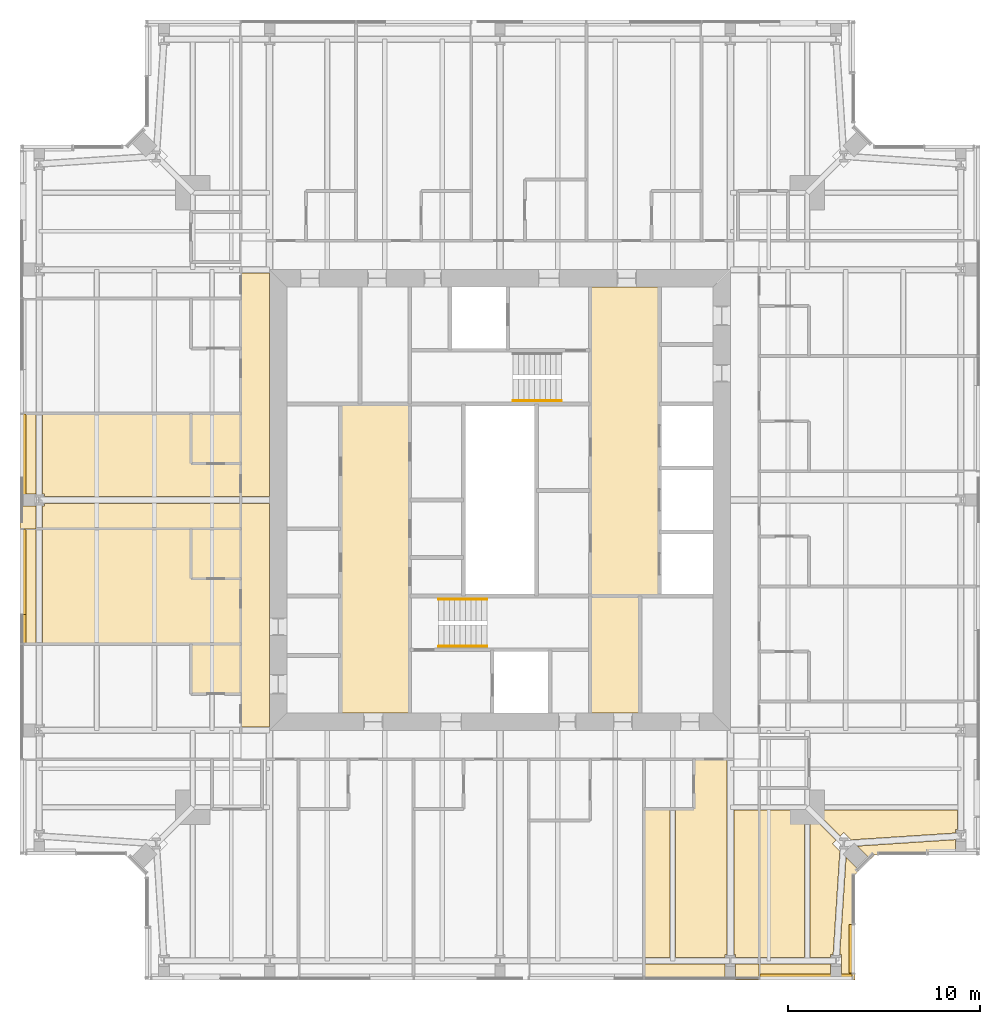
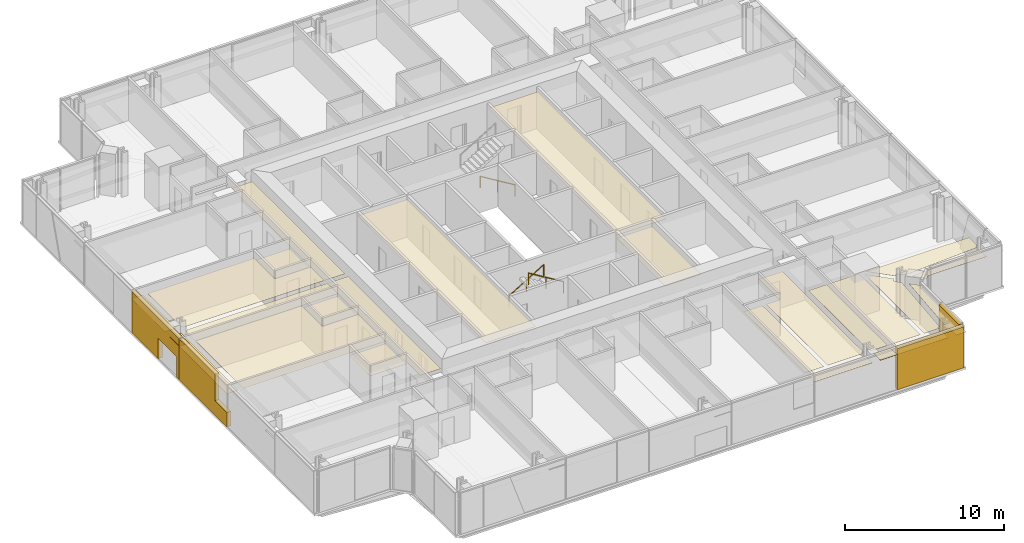
# One storey, part 17 of 20: 29 coverings, 3 railings.
"""IFC4 building model written with IfcOpenShell, lengths in metres."""

from ifc_helpers import new_model, si_unit, direction, frame, origin, origin_2d, place, context, subcontext, project, spatial, polyline, circle, outline, extrude, material, layer, layer_set, type_object, element, save


model = new_model("IFC4")

# Units and contexts
model_context = context("Model", 3, precision=1e-05, world=origin(), true_north=direction((0.0, 1.0)))
body_context = subcontext(model_context, "Body", "Model", "MODEL_VIEW")
ifc_project = project(units=[si_unit("LENGTHUNIT", "METRE"), si_unit("AREAUNIT", "SQUARE_METRE"), si_unit("VOLUMEUNIT", "CUBIC_METRE"), si_unit("PLANEANGLEUNIT", "RADIAN"), si_unit("MASSUNIT", "GRAM", prefix="KILO")], contexts=[model_context])

# Site, building, storey
site_placement = place(None, origin())
site = spatial("IfcSite", under=ifc_project, at=site_placement, CompositionType="ELEMENT")
building_placement = place(site_placement, origin())
building = spatial("IfcBuilding", under=site, at=building_placement, Name="Fenwick Lantern Interchange", CompositionType="ELEMENT")
storey_placement = place(building_placement, frame((0.0, 0.0, 249.199951171875)))
storey = spatial("IfcBuildingStorey", under=building, at=storey_placement, Name="L58", CompositionType="ELEMENT", Elevation=249.199951171875)

# Coverings
ifc_material_1 = material(Name="Granite cladding, warm grey flamed finish, on aluminium carrier frame", Category="masonry")
ifc_layer_1 = layer(ifc_material_1, 0.300048828125)
ifc_layer_set_1 = layer_set([ifc_layer_1], Name="BRACE CASING PANEL 300")
covering_type_1 = type_object("IfcCoveringType", Name="BRACE CASING PANEL 300", PredefinedType="CLADDING", material=ifc_layer_set_1)
covering_1_placement = place(storey_placement, frame((6.60009765625, 0.10009765625, 0.0), z_axis=(0.0, 0.0, 1.0), x_axis=(1.0, 0.0, 0.0)))
element("IfcCovering", 1, at=covering_1_placement, inside=storey, type_object=covering_type_1, Name="Brace casing 01 bay 06a", PredefinedType="CLADDING", context=body_context, shape_type="SweptSolid", body=[
    extrude(outline(polyline([(31.929931640625, 0.0), (36.739990234375, 0.0), (36.739990234375, 3.150146484375), (31.929931640625, 3.150146484375), (31.929931640625, 0.0)])), frame((0.0, 0.2099609375, 0.0), z_axis=(0.0, -1.0, 0.0), x_axis=(1.0, 0.0, 0.0)), (0.0, 0.0, 1.0), 0.300048828125),
])
covering_2_placement = place(storey_placement, frame((43.39990234375, 0.10009765625, 0.0), z_axis=(0.0, 0.0, 1.0), x_axis=(0.0, 1.0, 0.0)))
element("IfcCovering", 2, at=covering_2_placement, inside=storey, type_object=covering_type_1, Name="Brace casing 02 bay 00a", PredefinedType="CLADDING", context=body_context, shape_type="SweptSolid", body=[
    extrude(outline(polyline([(0.260009765625, 0.0), (2.790771484375, 0.0), (2.790771484375, 3.150146484375), (0.260009765625, 3.150146484375), (0.260009765625, 0.0)])), frame((0.0, 0.2099609375, 0.0), z_axis=(0.0, -1.0, 0.0), x_axis=(1.0, 0.0, 0.0)), (0.0, 0.0, 1.0), 0.300048828125),
])
covering_3_placement = place(storey_placement, frame((0.10009765625, 43.39990234375, 0.0), z_axis=(0.0, 0.0, 1.0), x_axis=(0.0, -1.0, 0.0)))
element("IfcCovering", 3, at=covering_3_placement, inside=storey, type_object=covering_type_1, Name="Brace casing 13 bay 03a", PredefinedType="CLADDING", context=body_context, shape_type="SweptSolid", body=[
    extrude(outline(polyline([(13.929931640625, 0.0), (17.238037109375, 0.0), (17.238037109375, 1.580078125), (19.56298828125, 1.580078125), (19.56298828125, 0.0), (19.8701171875, 0.0), (19.8701171875, 3.150146484375), (13.929931640625, 3.150146484375), (13.929931640625, 0.0)])), frame((0.0, 0.2099609375, 0.0), z_axis=(0.0, -1.0, 0.0), x_axis=(1.0, 0.0, 0.0)), (0.0, 0.0, 1.0), 0.300048828125),
])
covering_4_placement = place(storey_placement, frame((0.10009765625, 43.39990234375, 0.0), z_axis=(0.0, 0.0, 1.0), x_axis=(0.0, -1.0, 0.0)))
element("IfcCovering", 4, at=covering_4_placement, inside=storey, type_object=covering_type_1, Name="Brace casing 13 bay 04a", PredefinedType="CLADDING", context=body_context, shape_type="SweptSolid", body=[
    extrude(outline(polyline([(19.929931640625, 0.0), (25.8701171875, 0.0), (25.8701171875, 1.120361328125), (24.372802734375, 1.120361328125), (24.372802734375, 3.150146484375), (19.929931640625, 3.150146484375), (19.929931640625, 0.0)])), frame((0.0, 0.2099609375, 0.0), z_axis=(0.0, -1.0, 0.0), x_axis=(1.0, 0.0, 0.0)), (0.0, 0.0, 1.0), 0.300048828125),
])

# Railings
ifc_material_2 = material(Name="Stainless steel handrail", Category="steel")
railing_type = type_object("IfcRailingType", Name="HANDRAIL 900", PredefinedType="HANDRAIL", material=ifc_material_2)
railing_1_placement = place(storey_placement, frame((21.800048828125, 19.825927734375, 0.170166015625)))
element("IfcRailing", 5, at=railing_1_placement, inside=storey, type_object=railing_type, Name="L58/STAIR/ST1/HR1", PredefinedType="HANDRAIL", context=body_context, shape_type="SweptSolid", body=[
    extrude(circle(Radius=0.02392578125, at=origin_2d()), frame((0.0, 0.0, 0.8759765625), z_axis=(0.854821627497, 0.0, 0.518921945155), x_axis=(0.0, 1.0, 0.0)), (0.0, 0.0, 1.0), 2.947998046875),
    extrude(circle(Radius=0.02099609375, at=origin_2d()), origin(), (0.0, 0.0, 1.0), 0.851806640625),
    extrude(circle(Radius=0.02099609375, at=origin_2d()), frame((1.260009765625, 0.0, 0.764892578125)), (0.0, 0.0, 1.0), 0.851806640625),
    extrude(circle(Radius=0.02099609375, at=origin_2d()), frame((2.52001953125, 0.0, 1.52978515625)), (0.0, 0.0, 1.0), 0.851806640625),
])
railing_2_placement = place(storey_placement, frame((24.320068359375, 17.3740234375, 1.8701171875)))
element("IfcRailing", 6, at=railing_2_placement, inside=storey, type_object=railing_type, Name="L58/STAIR/ST1/HR2", PredefinedType="HANDRAIL", context=body_context, shape_type="SweptSolid", body=[
    extrude(circle(Radius=0.02392578125, at=origin_2d()), frame((0.0, 0.0, 0.8759765625), z_axis=(-0.85478489116, 0.0, 0.518982456201), x_axis=(0.0, -1.0, 0.0)), (0.0, 0.0, 1.0), 2.9482421875),
    extrude(circle(Radius=0.02099609375, at=origin_2d()), origin(), (0.0, 0.0, 1.0), 0.851806640625),
    extrude(circle(Radius=0.02099609375, at=origin_2d()), frame((-1.260009765625, 0.0, 0.76513671875)), (0.0, 0.0, 1.0), 0.851806640625),
    extrude(circle(Radius=0.02099609375, at=origin_2d()), frame((-2.52001953125, 0.0, 1.530029296875)), (0.0, 0.0, 1.0), 0.851806640625),
])
railing_3_placement = place(storey_placement, frame((28.199951171875, 30.174072265625, 0.170166015625)))
element("IfcRailing", 7, at=railing_3_placement, inside=storey, type_object=railing_type, Name="L58/STAIR/ST2/HR1", PredefinedType="HANDRAIL", context=body_context, shape_type="SweptSolid", body=[
    extrude(circle(Radius=0.02392578125, at=origin_2d()), frame((0.0, 0.0, 0.8759765625), z_axis=(-0.854821627497, 0.0, 0.518921945155), x_axis=(0.0, -1.0, 0.0)), (0.0, 0.0, 1.0), 2.947998046875),
    extrude(circle(Radius=0.02099609375, at=origin_2d()), origin(), (0.0, 0.0, 1.0), 0.851806640625),
    extrude(circle(Radius=0.02099609375, at=origin_2d()), frame((-1.260009765625, 0.0, 0.764892578125)), (0.0, 0.0, 1.0), 0.851806640625),
    extrude(circle(Radius=0.02099609375, at=origin_2d()), frame((-2.52001953125, 0.0, 1.52978515625)), (0.0, 0.0, 1.0), 0.851806640625),
])

# Coverings
ifc_material_3 = material(Name="Moisture resistant gypsum board on suspended frame, painted")
ifc_layer_2 = layer(ifc_material_3, 0.014892578125)
ifc_layer_set_2 = layer_set([ifc_layer_2], Name="MOISTURE RESISTANT CEILING 15")
covering_type_2 = type_object("IfcCoveringType", Name="MOISTURE RESISTANT CEILING 15", PredefinedType="CEILING", material=ifc_layer_set_2)
covering_5_placement = place(storey_placement, frame((0.0, 0.0, 2.60009765625)))
element("IfcCovering", 8, at=covering_5_placement, inside=storey, type_object=covering_type_2, Name="Men's WC ceiling", PredefinedType="CEILING", context=body_context, shape_type="SweptSolid", body=[
    extrude(outline(polyline([(29.699951171875, 13.89990234375), (32.300048828125, 13.89990234375), (32.300048828125, 20.0), (29.699951171875, 20.0), (29.699951171875, 13.89990234375)])), origin(), (0.0, 0.0, 1.0), 0.014892578125),
])
covering_6_placement = place(storey_placement, frame((0.0, 0.0, 2.400146484375)))
element("IfcCovering", 9, at=covering_6_placement, inside=storey, type_object=covering_type_2, Name="En-suite 5818 ceiling", PredefinedType="CEILING", context=body_context, shape_type="SweptSolid", body=[
    extrude(outline(polyline([(8.89990234375, 29.5), (8.89990234375, 26.89990234375), (11.5, 26.89990234375), (11.5, 29.5), (8.89990234375, 29.5)])), origin(), (0.0, 0.0, 1.0), 0.014892578125),
])
covering_7_placement = place(storey_placement, frame((0.0, 0.0, 2.400146484375)))
element("IfcCovering", 10, at=covering_7_placement, inside=storey, type_object=covering_type_2, Name="En-suite 5819 ceiling", PredefinedType="CEILING", context=body_context, shape_type="SweptSolid", body=[
    extrude(outline(polyline([(8.89990234375, 23.5), (8.89990234375, 20.89990234375), (11.5, 20.89990234375), (11.5, 23.5), (8.89990234375, 23.5)])), origin(), (0.0, 0.0, 1.0), 0.014892578125),
])
covering_8_placement = place(storey_placement, frame((0.0, 0.0, 2.400146484375)))
element("IfcCovering", 11, at=covering_8_placement, inside=storey, type_object=covering_type_2, Name="En-suite 5820 ceiling", PredefinedType="CEILING", context=body_context, shape_type="SweptSolid", body=[
    extrude(outline(polyline([(8.89990234375, 17.5), (8.89990234375, 14.89990234375), (11.5, 14.89990234375), (11.5, 17.5), (8.89990234375, 17.5)])), origin(), (0.0, 0.0, 1.0), 0.014892578125),
])
ifc_material_4 = material(Name="Gypsum plasterboard on suspended frame, painted")
ifc_layer_3 = layer(ifc_material_4, 0.014892578125)
ifc_layer_set_3 = layer_set([ifc_layer_3], Name="PLASTERBOARD CEILING 15")
covering_type_3 = type_object("IfcCoveringType", Name="PLASTERBOARD CEILING 15", PredefinedType="CEILING", material=ifc_layer_set_3)
covering_9_placement = place(storey_placement, frame((0.0, 0.0, 2.800048828125)))
element("IfcCovering", 12, at=covering_9_placement, inside=storey, type_object=covering_type_3, Name="Lift lobby ceiling", PredefinedType="CEILING", context=body_context, shape_type="SweptSolid", body=[
    extrude(outline(polyline([(16.699951171875, 13.89990234375), (20.300048828125, 13.89990234375), (20.300048828125, 30.0), (16.699951171875, 30.0), (16.699951171875, 13.89990234375)])), origin(), (0.0, 0.0, 1.0), 0.014892578125),
])
covering_10_placement = place(storey_placement, frame((0.0, 0.0, 2.800048828125)))
element("IfcCovering", 13, at=covering_10_placement, inside=storey, type_object=covering_type_3, Name="Lift lobby ceiling", PredefinedType="CEILING", context=body_context, shape_type="SweptSolid", body=[
    extrude(outline(polyline([(33.300048828125, 36.10009765625), (29.699951171875, 36.10009765625), (29.699951171875, 20.0), (33.300048828125, 20.0), (33.300048828125, 36.10009765625)])), origin(), (0.0, 0.0, 1.0), 0.014892578125),
])
covering_11_placement = place(storey_placement, frame((0.0, 0.0, 2.572998046875)))
element("IfcCovering", 14, at=covering_11_placement, inside=storey, type_object=covering_type_3, Name="Corridor ceiling", PredefinedType="CEILING", context=body_context, shape_type="SweptSolid", body=[
    extrude(outline(polyline([(11.5, 36.833984375), (11.5, 25.175048828125), (13.0, 25.175048828125), (13.0, 36.833984375), (11.5, 36.833984375)])), origin(), (0.0, 0.0, 1.0), 0.014892578125),
])
covering_12_placement = place(storey_placement, frame((0.0, 0.0, 2.572998046875)))
element("IfcCovering", 15, at=covering_12_placement, inside=storey, type_object=covering_type_3, Name="Corridor ceiling", PredefinedType="CEILING", context=body_context, shape_type="SweptSolid", body=[
    extrude(outline(polyline([(11.5, 24.824951171875), (11.5, 13.166015625), (13.0, 13.166015625), (13.0, 24.824951171875), (11.5, 24.824951171875)])), origin(), (0.0, 0.0, 1.0), 0.014892578125),
])
covering_13_placement = place(storey_placement, frame((0.0, 0.0, 2.699951171875)))
element("IfcCovering", 16, at=covering_13_placement, inside=storey, type_object=covering_type_3, Name="Guest room 5805 ceiling", PredefinedType="CEILING", context=body_context, shape_type="SweptSolid", body=[
    extrude(outline(polyline([(36.72265625, 1.33447265625), (36.816162109375, 1.33447265625), (36.816162109375, 11.5), (35.10009765625, 11.5), (35.10009765625, 8.89990234375), (34.134521484375, 8.89990234375), (34.134521484375, 1.17236328125), (36.72265625, 1.17236328125), (36.72265625, 1.33447265625)])), origin(), (0.0, 0.0, 1.0), 0.01513671875),
])
covering_14_placement = place(storey_placement, frame((0.0, 0.0, 2.699951171875)))
element("IfcCovering", 17, at=covering_14_placement, inside=storey, type_object=covering_type_3, Name="Guest room 5805 ceiling", PredefinedType="CEILING", context=body_context, shape_type="SweptSolid", body=[
    extrude(outline(polyline([(32.5, 8.89990234375), (32.5, 1.17236328125), (33.865478515625, 1.17236328125), (33.865478515625, 8.89990234375), (32.5, 8.89990234375)])), origin(), (0.0, 0.0, 1.0), 0.01513671875),
])
covering_15_placement = place(storey_placement, frame((0.0, 0.0, 2.699951171875)))
element("IfcCovering", 18, at=covering_15_placement, inside=storey, type_object=covering_type_3, Name="Guest room 5805 ceiling", PredefinedType="CEILING", context=body_context, shape_type="SweptSolid", body=[
    extrude(outline(polyline([(37.27734375, 1.33447265625), (37.27734375, 1.17236328125), (38.5, 1.17236328125), (38.5, 8.865478515625), (37.183837890625, 8.865478515625), (37.183837890625, 1.33447265625), (37.27734375, 1.33447265625)])), origin(), (0.0, 0.0, 1.0), 0.01513671875),
])
covering_16_placement = place(storey_placement, frame((0.0, 0.0, 2.699951171875)))
element("IfcCovering", 19, at=covering_16_placement, inside=storey, type_object=covering_type_3, Name="Guest room 5805 ceiling", PredefinedType="CEILING", context=body_context, shape_type="SweptSolid", body=[
    extrude(outline(polyline([(36.72265625, 0.0), (36.72265625, 0.82763671875), (32.5, 0.82763671875), (32.5, 0.0), (36.72265625, 0.0)])), origin(), (0.0, 0.0, 1.0), 0.01513671875),
])
covering_17_placement = place(storey_placement, frame((0.0, 0.0, 2.699951171875)))
element("IfcCovering", 20, at=covering_17_placement, inside=storey, type_object=covering_type_3, Name="Guest room 5805 ceiling", PredefinedType="CEILING", context=body_context, shape_type="SweptSolid", body=[
    extrude(outline(polyline([(37.27734375, 0.0), (38.5, 0.0), (38.5, 0.82763671875), (37.27734375, 0.82763671875), (37.27734375, 0.0)])), origin(), (0.0, 0.0, 1.0), 0.01513671875),
])
covering_18_placement = place(storey_placement, frame((0.0, 0.0, 2.699951171875)))
element("IfcCovering", 21, at=covering_18_placement, inside=storey, type_object=covering_type_3, Name="Guest suite 5806 ceiling", PredefinedType="CEILING", context=body_context, shape_type="SweptSolid", body=[
    extrude(outline(polyline([(38.5, 8.865478515625), (38.5, 1.17236328125), (40.865478515625, 1.17236328125), (40.865478515625, 8.865478515625), (38.5, 8.865478515625)])), origin(), (0.0, 0.0, 1.0), 0.01513671875),
])
covering_19_placement = place(storey_placement, frame((0.0, 0.0, 2.699951171875)))
element("IfcCovering", 22, at=covering_19_placement, inside=storey, type_object=covering_type_3, Name="Guest suite 5806 ceiling", PredefinedType="CEILING", context=body_context, shape_type="SweptSolid", body=[
    extrude(outline(polyline([(48.72265625, 7.83447265625), (48.82763671875, 7.83447265625), (48.82763671875, 8.865478515625), (41.351318359375, 8.865478515625), (42.71728515625, 7.499755859375), (42.89990234375, 7.6826171875), (43.284423828125, 7.298095703125), (48.72265625, 7.654541015625), (48.72265625, 7.83447265625)])), origin(), (0.0, 0.0, 1.0), 0.01513671875),
])
covering_20_placement = place(storey_placement, frame((0.0, 0.0, 2.699951171875)))
element("IfcCovering", 23, at=covering_20_placement, inside=storey, type_object=covering_type_3, Name="Guest suite 5806 ceiling", PredefinedType="CEILING", context=body_context, shape_type="SweptSolid", body=[
    extrude(outline(polyline([(42.22265625, 1.33447265625), (42.34912109375, 1.33447265625), (42.701904296875, 6.715576171875), (42.3173828125, 7.10009765625), (42.500244140625, 7.28271484375), (41.134521484375, 8.648681640625), (41.134521484375, 1.17236328125), (42.22265625, 1.17236328125), (42.22265625, 1.33447265625)])), origin(), (0.0, 0.0, 1.0), 0.01513671875),
])
covering_21_placement = place(storey_placement, frame((0.0, 0.0, 2.699951171875)))
element("IfcCovering", 24, at=covering_21_placement, inside=storey, type_object=covering_type_3, Name="Guest suite 5806 ceiling", PredefinedType="CEILING", context=body_context, shape_type="SweptSolid", body=[
    extrude(outline(polyline([(42.69482421875, 1.33447265625), (42.77734375, 1.33447265625), (42.77734375, 0.0), (43.5, 0.0), (43.5, 5.5), (43.708740234375, 5.708740234375), (43.0263671875, 6.39111328125), (42.69482421875, 1.33447265625)])), origin(), (0.0, 0.0, 1.0), 0.01513671875),
])
covering_22_placement = place(storey_placement, frame((0.0, 0.0, 2.699951171875)))
element("IfcCovering", 25, at=covering_22_placement, inside=storey, type_object=covering_type_3, Name="Guest suite 5806 ceiling", PredefinedType="CEILING", context=body_context, shape_type="SweptSolid", body=[
    extrude(outline(polyline([(48.72265625, 6.5), (48.72265625, 7.30908203125), (43.60888671875, 6.9736328125), (44.291259765625, 6.291259765625), (44.5, 6.5), (48.72265625, 6.5)])), origin(), (0.0, 0.0, 1.0), 0.01513671875),
])
covering_23_placement = place(storey_placement, frame((0.0, 0.0, 2.699951171875)))
element("IfcCovering", 26, at=covering_23_placement, inside=storey, type_object=covering_type_3, Name="Guest suite 5806 ceiling", PredefinedType="CEILING", context=body_context, shape_type="SweptSolid", body=[
    extrude(outline(polyline([(42.22265625, 0.0), (42.22265625, 0.82763671875), (38.5, 0.82763671875), (38.5, 0.0), (42.22265625, 0.0)])), origin(), (0.0, 0.0, 1.0), 0.01513671875),
])
covering_24_placement = place(storey_placement, frame((0.0, 0.0, 2.572998046875)))
element("IfcCovering", 27, at=covering_24_placement, inside=storey, type_object=covering_type_3, Name="Guest room 5818 ceiling", PredefinedType="CEILING", context=body_context, shape_type="SweptSolid", body=[
    extrude(outline(polyline([(1.27099609375, 25.3154296875), (1.27099609375, 25.175048828125), (11.5, 25.175048828125), (11.5, 26.89990234375), (8.89990234375, 26.89990234375), (8.89990234375, 29.5), (1.17236328125, 29.5), (1.17236328125, 25.3154296875), (1.27099609375, 25.3154296875)])), origin(), (0.0, 0.0, 1.0), 0.014892578125),
])
covering_25_placement = place(storey_placement, frame((0.0, 0.0, 2.572998046875)))
element("IfcCovering", 28, at=covering_25_placement, inside=storey, type_object=covering_type_3, Name="Guest room 5818 ceiling", PredefinedType="CEILING", context=body_context, shape_type="SweptSolid", body=[
    extrude(outline(polyline([(1.27099609375, 24.6845703125), (1.17236328125, 24.6845703125), (1.17236328125, 23.5), (11.5, 23.5), (11.5, 24.824951171875), (1.27099609375, 24.824951171875), (1.27099609375, 24.6845703125)])), origin(), (0.0, 0.0, 1.0), 0.014892578125),
])
covering_26_placement = place(storey_placement, frame((0.0, 0.0, 2.572998046875)))
element("IfcCovering", 29, at=covering_26_placement, inside=storey, type_object=covering_type_3, Name="Guest room 5818 ceiling", PredefinedType="CEILING", context=body_context, shape_type="SweptSolid", body=[
    extrude(outline(polyline([(0.0, 25.3154296875), (0.82763671875, 25.3154296875), (0.82763671875, 29.5), (0.0, 29.5), (0.0, 25.3154296875)])), origin(), (0.0, 0.0, 1.0), 0.014892578125),
])
covering_27_placement = place(storey_placement, frame((0.0, 0.0, 2.572998046875)))
element("IfcCovering", 30, at=covering_27_placement, inside=storey, type_object=covering_type_3, Name="Guest room 5818 ceiling", PredefinedType="CEILING", context=body_context, shape_type="SweptSolid", body=[
    extrude(outline(polyline([(0.0, 24.6845703125), (0.0, 23.5), (0.82763671875, 23.5), (0.82763671875, 24.6845703125), (0.0, 24.6845703125)])), origin(), (0.0, 0.0, 1.0), 0.014892578125),
])
covering_28_placement = place(storey_placement, frame((0.0, 0.0, 2.572998046875)))
element("IfcCovering", 31, at=covering_28_placement, inside=storey, type_object=covering_type_3, Name="Guest room 5819 ceiling", PredefinedType="CEILING", context=body_context, shape_type="SweptSolid", body=[
    extrude(outline(polyline([(1.17236328125, 17.5), (11.5, 17.5), (11.5, 20.89990234375), (8.89990234375, 20.89990234375), (8.89990234375, 23.5), (1.17236328125, 23.5), (1.17236328125, 17.5)])), origin(), (0.0, 0.0, 1.0), 0.014892578125),
])
covering_29_placement = place(storey_placement, frame((0.0, 0.0, 2.572998046875)))
element("IfcCovering", 32, at=covering_29_placement, inside=storey, type_object=covering_type_3, Name="Guest room 5819 ceiling", PredefinedType="CEILING", context=body_context, shape_type="SweptSolid", body=[
    extrude(outline(polyline([(0.0, 17.5), (0.82763671875, 17.5), (0.82763671875, 23.5), (0.0, 23.5), (0.0, 17.5)])), origin(), (0.0, 0.0, 1.0), 0.014892578125),
])

save(model, "model.ifc")
